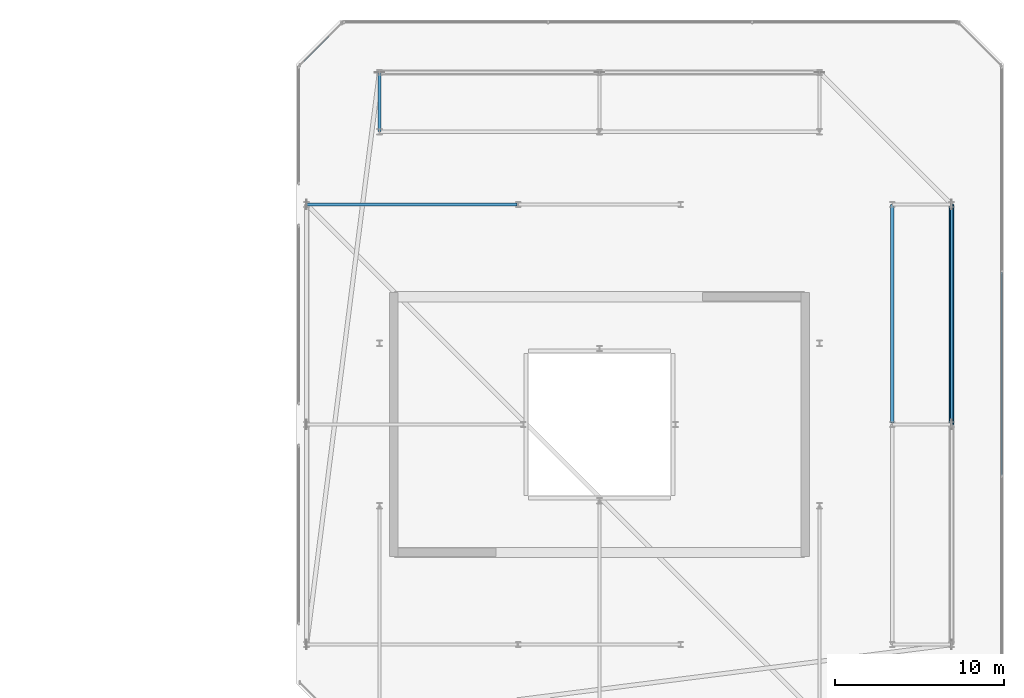
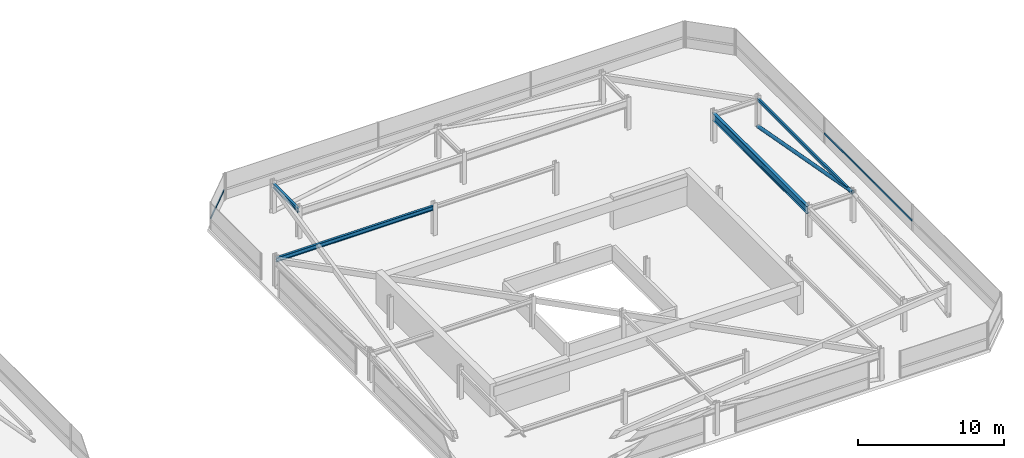
# One storey, part 32 of 42: 4 beams, 3 members, 2 elements without a shape of their own.
"""IFC4 building model written with IfcOpenShell, lengths in metres."""

from ifc_helpers import new_model, si_unit, direction, frame, origin, origin_2d, place, context, subcontext, project, spatial, hollow_rectangle, hollow_circle, i_section, extrude, material, material_profile, profile_set, type_object, element, aggregate, save


model = new_model("IFC4")

# Units and contexts
model_context = context("Model", 3, precision=1e-05, world=origin(), true_north=direction((0.0, 1.0)))
body_context = subcontext(model_context, "Body", "Model", "MODEL_VIEW")
ifc_project = project(units=[si_unit("LENGTHUNIT", "METRE"), si_unit("AREAUNIT", "SQUARE_METRE"), si_unit("VOLUMEUNIT", "CUBIC_METRE"), si_unit("PLANEANGLEUNIT", "RADIAN"), si_unit("MASSUNIT", "GRAM", prefix="KILO")], contexts=[model_context])

# Site, building, storey
site_placement = place(None, origin())
site = spatial("IfcSite", under=ifc_project, at=site_placement, CompositionType="ELEMENT")
building_placement = place(site_placement, origin())
building = spatial("IfcBuilding", under=site, at=building_placement, Name="Thornwick Lancets Civic Towers", CompositionType="ELEMENT")
storey_placement = place(building_placement, frame((0.0, 0.0, 289.5)))
storey = spatial("IfcBuildingStorey", under=building, at=storey_placement, Name="C04", CompositionType="ELEMENT", Elevation=289.5)

# Beams
ifc_material_1 = material(Name="Steel S355JR", Category="steel")
ifc_material_profile_1 = material_profile(ifc_material_1, hollow_rectangle(XDim=0.14990234375, YDim=0.25, WallThickness=0.012451171875, at=origin_2d()), Name="RHS 250x150x12.5")
ifc_profile_set_1 = profile_set([ifc_material_profile_1], Name="Steel S355JR")
beam_type_1 = type_object("IfcBeamType", Name="BM_CROWN_RHS250", PredefinedType="BEAM", material=ifc_profile_set_1)
beam_1_placement = place(storey_placement, frame((109.300048828125, 27.080078125, 2.31494140625), z_axis=(0.0, 1.0, 0.0), x_axis=(-1.0, 0.0, 0.0)))
element("IfcBeam", 1, at=beam_1_placement, inside=storey, type_object=beam_type_1, Name="BM-EDGE-C04-B-S0-2", PredefinedType="BEAM", context=body_context, shape_type="SweptSolid", body=[
    extrude(hollow_rectangle(XDim=0.14990234375, YDim=0.25, WallThickness=0.012451171875, at=origin_2d()), origin(), (0.0, 0.0, 1.0), 12.919921875),
])
ifc_material_profile_2 = material_profile(ifc_material_1, i_section(OverallWidth=0.230224609375, OverallDepth=0.6171875, WebThickness=0.01318359375, FlangeThickness=0.022216796875, FilletRadius=0.0126953125, at=origin_2d()), Name="UKB 610x229x140")
ifc_profile_set_2 = profile_set([ifc_material_profile_2], Name="Steel S355JR")
beam_type_2 = type_object("IfcBeamType", Name="BM_GIRD_610_140", PredefinedType="BEAM", material=ifc_profile_set_2)
beam_2_placement = place(storey_placement, frame((105.800048828125, 27.080078125, 2.13134765625), z_axis=(0.0, 1.0, 0.0), x_axis=(-1.0, 0.0, 0.0)))
element("IfcBeam", 2, at=beam_2_placement, inside=storey, type_object=beam_type_2, Name="BM-SPINE-C04-B-1-2", PredefinedType="BEAM", context=body_context, shape_type="SweptSolid", body=[
    extrude(i_section(OverallWidth=0.230224609375, OverallDepth=0.6171875, WebThickness=0.01318359375, FlangeThickness=0.022216796875, FilletRadius=0.0126953125, at=origin_2d()), origin(), (0.0, 0.0, 1.0), 12.919921875),
])
ifc_material_profile_3 = material_profile(ifc_material_1, i_section(OverallWidth=0.173095703125, OverallDepth=0.36328125, WebThickness=0.009033203125, FlangeThickness=0.015625, FilletRadius=0.01025390625, at=origin_2d()), Name="UKB 356x171x67")
ifc_profile_set_3 = profile_set([ifc_material_profile_3], Name="Steel S355JR")
beam_type_3 = type_object("IfcBeamType", Name="BM_JOIST_356_67", PredefinedType="JOIST", material=ifc_profile_set_3)
beam_3_placement = place(storey_placement, frame((75.5, 44.300048828125, 2.25830078125), z_axis=(0.0, 1.0, 0.0), x_axis=(-1.0, 0.0, 0.0)))
element("IfcBeam", 3, at=beam_3_placement, inside=storey, type_object=beam_type_3, Name="BM-RAD-C04-B06", PredefinedType="JOIST", context=body_context, shape_type="SweptSolid", body=[
    extrude(i_section(OverallWidth=0.173095703125, OverallDepth=0.36328125, WebThickness=0.009033203125, FlangeThickness=0.015625, FilletRadius=0.01025390625, at=origin_2d()), origin(), (0.0, 0.0, 1.0), 3.5),
])
beam_4_placement = place(storey_placement, frame((83.6201171875, 40.0, 2.25830078125), z_axis=(-1.0, 0.0, 0.0), x_axis=(0.0, -1.0, 0.0)))
element("IfcBeam", 4, at=beam_4_placement, inside=storey, type_object=beam_type_3, Name="BM-RADIN-C04-B09", PredefinedType="JOIST", context=body_context, shape_type="SweptSolid", body=[
    extrude(i_section(OverallWidth=0.173095703125, OverallDepth=0.36328125, WebThickness=0.009033203125, FlangeThickness=0.015625, FilletRadius=0.01025390625, at=origin_2d()), origin(), (0.0, 0.0, 1.0), 12.420166015625),
])

# Curtain wall, member
ifc_material_2 = material(Name="Crown ring acoustic-louvre and glazing screen wall", Category="glass")
curtain_wall_type = type_object("IfcCurtainWallType", Name="CW_SYS_07", PredefinedType="NOTDEFINED", material=ifc_material_2)
curtain_wall_1_placement = place(storey_placement, origin())
curtain_wall_1 = element("IfcCurtainWall", 5, at=curtain_wall_1_placement, inside=storey, type_object=curtain_wall_type, Name="C04 Curtain Wall CW-C04-B-E2", PredefinedType="NOTDEFINED")
ifc_material_3 = material(Name="Thermally broken bronze aluminium S355", Category="steel")
ifc_material_profile_4 = material_profile(ifc_material_3, hollow_rectangle(XDim=0.074951171875, YDim=0.14990234375, WallThickness=0.0048828125, at=origin_2d()), Name="RHS 150x75x5")
ifc_profile_set_4 = profile_set([ifc_material_profile_4], Name="Thermally broken bronze aluminium S355")
member_type_1 = type_object("IfcMemberType", Name="CW_TRN_150", PredefinedType="USERDEFINED", material=ifc_profile_set_4)
member_1_placement = place(storey_placement, frame((112.2646484375, 23.986083984375, 0.85009765625), z_axis=(0.0, 1.0, 0.0), x_axis=(-1.0, 0.0, 0.0)))
member_1 = element("IfcMember", 6, at=member_1_placement, type_object=member_type_1, Name="CW-C04-B-E2 Transom 1", ObjectType="TRANSOM", PredefinedType="USERDEFINED", context=body_context, shape_type="SweptSolid", body=[
    extrude(hollow_rectangle(XDim=0.074951171875, YDim=0.14990234375, WallThickness=0.0048828125, at=origin_2d()), origin(), (0.0, 0.0, 1.0), 12.02783203125),
])
aggregate(curtain_wall_1, [member_1])

curtain_wall_2_placement = place(storey_placement, origin())
curtain_wall_2 = element("IfcCurtainWall", 7, at=curtain_wall_2_placement, inside=storey, type_object=curtain_wall_type, Name="C04 Curtain Wall CW-C04-B-E5", PredefinedType="NOTDEFINED")
member_2_placement = place(storey_placement, frame((73.247802734375, 50.69384765625, 0.85009765625), z_axis=(-0.707106781187, -0.707106781187, 0.0), x_axis=(0.707106781187, -0.707106781187, 0.0)))
member_2 = element("IfcMember", 8, at=member_2_placement, type_object=member_type_1, Name="CW-C04-B-E5 Transom 0", ObjectType="TRANSOM", PredefinedType="USERDEFINED", context=body_context, shape_type="SweptSolid", body=[
    extrude(hollow_rectangle(XDim=0.074951171875, YDim=0.14990234375, WallThickness=0.0048828125, at=origin_2d()), origin(), (0.0, 0.0, 1.0), 3.453125),
])
aggregate(curtain_wall_2, [member_2])

# Member
ifc_material_profile_5 = material_profile(ifc_material_1, hollow_circle(Radius=0.136474609375, WallThickness=0.012451171875, at=origin_2d()), Name="CHS 273x12.5")
ifc_profile_set_5 = profile_set([ifc_material_profile_5], Name="Steel S355JR")
member_type_2 = type_object("IfcMemberType", Name="MEM_CROWN_CHS273", PredefinedType="BRACE", material=ifc_profile_set_5)
member_3_placement = place(storey_placement, frame((109.300048828125, 40.0, 0.050048828125), z_axis=(0.0, -0.98351842104, 0.180807951915), x_axis=(1.0, 0.0, 0.0)))
element("IfcMember", 9, at=member_3_placement, inside=storey, type_object=member_type_2, Name="C04 Crown Ring Lancet Rib B-S0-R", PredefinedType="BRACE", context=body_context, shape_type="SweptSolid", body=[
    extrude(hollow_circle(Radius=0.136474609375, WallThickness=0.012451171875, at=origin_2d()), origin(), (0.0, 0.0, 1.0), 13.2177734375),
])

save(model, "model.ifc")
